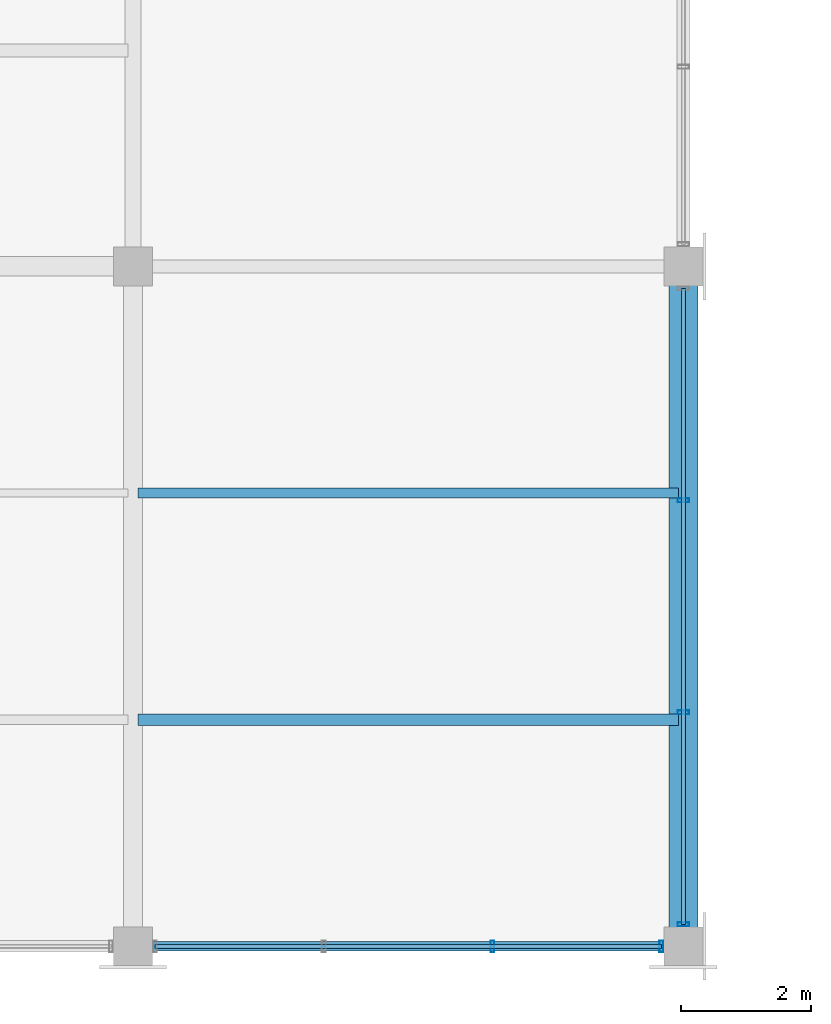
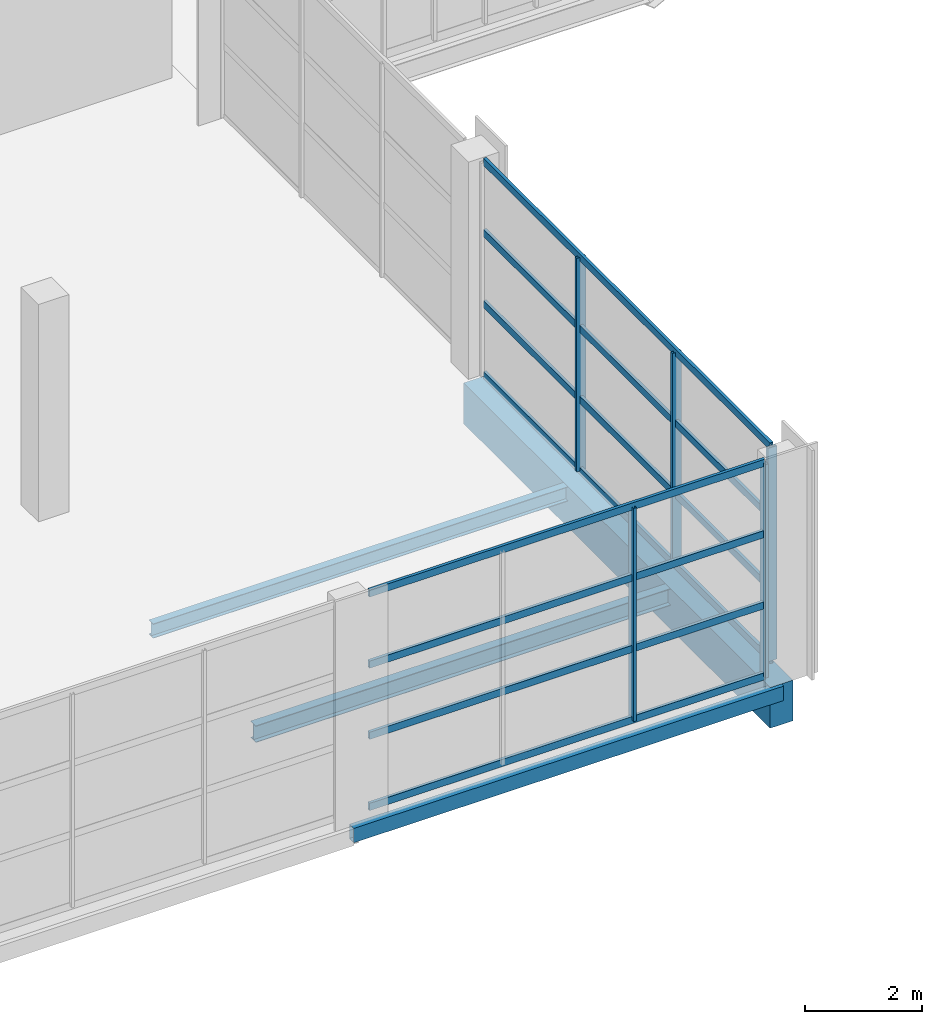
# One storey, part 9 of 46: 13 members, 4 beams, 2 elements without a shape of their own.
"""IFC4 building model written with IfcOpenShell, lengths in metres."""

import ifcopenshell
import ifcopenshell.guid

model = None  # the IFC model being written
_history = None  # IfcOwnerHistory: only IFC2X3 demands one
_inside = {}  # id of a spatial element -> (the spatial element, [elements in it])
_under = {}  # id of a project, library or spatial element -> (it, [spatial elements below it])
_declared = {}  # id of a project -> (the project, [libraries it declares])
_typed = {}  # id of a type object -> (the type object, [elements of that type])
_made_of = {}  # id of a material, layer set ... -> (it, [elements and type objects made of it])


def new_model(schema):
    """Start an empty IFC model of exactly this schema.

    Asked for "IFC4X3", IfcOpenShell would pick the latest addendum, in which some entities
    have other attributes; the version numbers below select the first issue.
    IFC2X3 requires an IfcOwnerHistory on every rooted entity: one is made here for all.
    """
    global model, _history
    if schema == "IFC4X3":
        model = ifcopenshell.file(schema_version=(4, 3, 0, 0))
    else:
        model = ifcopenshell.file(schema=schema)
    _inside.clear()
    _under.clear()
    _declared.clear()
    _typed.clear()
    _made_of.clear()
    _history = None
    if model.schema == "IFC2X3":
        org = make("IfcOrganization", Name="unknown")
        user = make(
            "IfcPersonAndOrganization",
            ThePerson=make("IfcPerson", FamilyName="unknown"),
            TheOrganization=org,
        )
        app = make(
            "IfcApplication",
            ApplicationDeveloper=org,
            Version="unknown",
            ApplicationFullName="unknown",
            ApplicationIdentifier="unknown",
        )
        _history = make(
            "IfcOwnerHistory",
            OwningUser=user,
            OwningApplication=app,
            ChangeAction="ADDED",
            CreationDate=0,
        )
    return model


def make(cls, **values):
    """One entity of the class cls with the attributes given. An attribute that is None is left unset."""
    return model.create_entity(
        cls, **{name: value for name, value in values.items() if value is not None}
    )


def rooted(cls, **values):
    """An entity with a GlobalId (a new one), such as an element, a storey or a relation."""
    return make(cls, GlobalId=ifcopenshell.guid.new(), OwnerHistory=_history, **values)


def si_unit(unit_type, name, prefix=None):
    """IfcSIUnit, for example si_unit("LENGTHUNIT", "METRE", prefix="MILLI")."""
    return make("IfcSIUnit", UnitType=unit_type, Prefix=prefix, Name=name)


def assignment(units):
    """IfcUnitAssignment: the units of a project."""
    return None if units is None else make("IfcUnitAssignment", Units=units)


def point(xyz):
    """IfcCartesianPoint."""
    return None if xyz is None else make("IfcCartesianPoint", Coordinates=xyz)


def direction(xyz):
    """IfcDirection."""
    return None if xyz is None else make("IfcDirection", DirectionRatios=xyz)


def frame(location, z_axis=None, x_axis=None):
    """IfcAxis2Placement3D, a coordinate frame: its origin and axes. An axis left out is left unset."""
    return make(
        "IfcAxis2Placement3D",
        Location=point(location),
        Axis=direction(z_axis),
        RefDirection=direction(x_axis),
    )


def frame_2d(location, x_axis=None):
    """IfcAxis2Placement2D, a coordinate frame in the plane: its origin and x axis."""
    return make(
        "IfcAxis2Placement2D", Location=point(location), RefDirection=direction(x_axis)
    )


def origin():
    """The frame at (0, 0, 0) with its axes left unset."""
    return frame((0.0, 0.0, 0.0))


def origin_2d():
    """The frame at (0, 0) in the plane with its x axis left unset."""
    return frame_2d((0.0, 0.0))


def place(relative_to, where):
    """IfcLocalPlacement: puts the frame where relative to a parent placement (None: the world)."""
    return make(
        "IfcLocalPlacement", PlacementRelTo=relative_to, RelativePlacement=where
    )


def context(
    kind, dimensions, precision=None, world=None, true_north=None, identifier=None
):
    """IfcGeometricRepresentationContext, for example the 3D "Model" context."""
    return make(
        "IfcGeometricRepresentationContext",
        ContextIdentifier=identifier,
        ContextType=kind,
        CoordinateSpaceDimension=dimensions,
        Precision=precision,
        WorldCoordinateSystem=world,
        TrueNorth=true_north,
    )


def subcontext(parent, identifier, kind, view, scale=None):
    """IfcGeometricRepresentationSubContext, for example "Body" below "Model"."""
    return make(
        "IfcGeometricRepresentationSubContext",
        ContextIdentifier=identifier,
        ContextType=kind,
        ParentContext=parent,
        TargetScale=scale,
        TargetView=view,
    )


def project(units=None, contexts=None):
    """IfcProject with its units and contexts."""
    return rooted(
        "IfcProject",
        Name="project",
        RepresentationContexts=contexts,
        UnitsInContext=assignment(units),
    )


def spatial(cls, under=None, at=None, **own):
    """A site, building, storey or space (cls), placed at a placement, below another one or the project."""
    s = rooted(cls, ObjectPlacement=at, **own)
    if under is not None:
        _under.setdefault(under.id(), (under, []))[1].append(s)
    return s


def profile(cls, at=None, kind="AREA", **sizes):
    """A parametric profile (cls). Its sizes go by their IFC names, for example OverallWidth=200.0."""
    return make(cls, ProfileType=kind, Position=at, **sizes)


def rectangle(**sizes):
    """IfcRectangleProfileDef."""
    return profile("IfcRectangleProfileDef", **sizes)


def hollow_rectangle(**sizes):
    """IfcRectangleHollowProfileDef."""
    return profile("IfcRectangleHollowProfileDef", **sizes)


def i_section(**sizes):
    """IfcIShapeProfileDef."""
    return profile("IfcIShapeProfileDef", **sizes)


def extrude(swept, where, along, depth):
    """IfcExtrudedAreaSolid: the profile swept, set in the frame where, extruded along a direction by depth."""
    return make(
        "IfcExtrudedAreaSolid",
        SweptArea=swept,
        Position=where,
        ExtrudedDirection=direction(along),
        Depth=depth,
    )


def shape(context_of_items, identifier, shape_type, items):
    """IfcShapeRepresentation: the items that make up one representation, for example the "Body"."""
    return make(
        "IfcShapeRepresentation",
        ContextOfItems=context_of_items,
        RepresentationIdentifier=identifier,
        RepresentationType=shape_type,
        Items=items,
    )


def material(Name=None, Category=None):
    """IfcMaterial."""
    return make("IfcMaterial", Name=Name, Category=Category)


def material_profile(
    of_material, cross_section, Name=None, Category=None, Priority=None
):
    """IfcMaterialProfile: a cross section and its material."""
    return make(
        "IfcMaterialProfile",
        Name=Name,
        Material=of_material,
        Profile=cross_section,
        Priority=Priority,
        Category=Category,
    )


def profile_set(profiles, Name=None, composite=None):
    """IfcMaterialProfileSet."""
    return make(
        "IfcMaterialProfileSet",
        Name=Name,
        MaterialProfiles=profiles,
        CompositeProfile=composite,
    )


def made_of(thing, what):
    """Note that an element or type object is made of a material, layer set ...; save() writes the relation."""
    if what is not None:
        _made_of.setdefault(what.id(), (what, []))[1].append(thing)
    return thing


def type_object(cls, material=None, **own):
    """A type object (cls), such as IfcWallType, which elements share."""
    return made_of(rooted(cls, **own), material)


def element(
    cls,
    number,
    at=None,
    inside=None,
    cuts=None,
    type_object=None,
    material=None,
    context=None,
    identifier="Body",
    shape_type=None,
    held_by="IfcProductDefinitionShape",
    body=None,
    shapes=None,
    **own,
):
    """One element of the class cls, such as IfcWall. Its Tag is "e" and its number.

    at: its placement. inside: the storey or other place that contains it. cuts: it is an
    opening in that element (IfcRelVoidsElement). A single representation is given by context,
    identifier, shape_type and body (its items); several are given by shapes. held_by: the class
    of the entity that holds the representations. save() writes the other relations.
    """
    e = rooted(cls, Tag="e%d" % number, ObjectPlacement=at, **own)
    if body is not None:
        shapes = [shape(context, identifier, shape_type, body)]
    if shapes is not None:
        e.Representation = make(held_by, Representations=shapes)
    if inside is not None:
        _inside.setdefault(inside.id(), (inside, []))[1].append(e)
    if cuts is not None:
        rooted(
            "IfcRelVoidsElement", RelatingBuildingElement=cuts, RelatedOpeningElement=e
        )
    if type_object is not None:
        _typed.setdefault(type_object.id(), (type_object, []))[1].append(e)
    return made_of(e, material)


def aggregate(whole, parts):
    """IfcRelAggregates: a whole, such as a stair, and the parts it consists of."""
    return rooted("IfcRelAggregates", RelatingObject=whole, RelatedObjects=parts)


def save(model, path):
    """Write the relations noted so far, then the file.

    IfcRelAggregates (storeys below a building ...), IfcRelContainedInSpatialStructure (elements
    in a storey), IfcRelDefinesByType, IfcRelAssociatesMaterial and IfcRelDeclares: one each for
    every whole, place, type object, material and project.
    """
    for whole, parts in _under.values():
        aggregate(whole, parts)
    for where, things in _inside.values():
        rooted(
            "IfcRelContainedInSpatialStructure",
            RelatedElements=things,
            RelatingStructure=where,
        )
    for kind, things in _typed.values():
        rooted("IfcRelDefinesByType", RelatedObjects=things, RelatingType=kind)
    for what, things in _made_of.values():
        rooted("IfcRelAssociatesMaterial", RelatedObjects=things, RelatingMaterial=what)
    for by, libraries in _declared.values():
        rooted("IfcRelDeclares", RelatingContext=by, RelatedDefinitions=libraries)
    model.write(path)


model = new_model("IFC4")

# Units and contexts
model_context = context("Model", 3, precision=1e-05, world=origin(), true_north=direction((0.0, 1.0)))
body_context = subcontext(model_context, "Body", "Model", "MODEL_VIEW")
ifc_project = project(units=[si_unit("LENGTHUNIT", "METRE"), si_unit("AREAUNIT", "SQUARE_METRE"), si_unit("VOLUMEUNIT", "CUBIC_METRE"), si_unit("PLANEANGLEUNIT", "RADIAN"), si_unit("MASSUNIT", "GRAM", prefix="KILO")], contexts=[model_context])

# Site, building, storey
site_placement = place(None, origin())
site = spatial("IfcSite", under=ifc_project, at=site_placement, CompositionType="ELEMENT")
building_placement = place(site_placement, origin())
building = spatial("IfcBuilding", under=site, at=building_placement, Name="Solvikara Media Centre", CompositionType="ELEMENT")
storey_placement = place(building_placement, frame((0.0, 0.0, 24.60009765625)))
storey = spatial("IfcBuildingStorey", under=building, at=storey_placement, Name="L05", CompositionType="ELEMENT", Elevation=24.60009765625)

# Beams
ifc_material_1 = material(Name="Concrete fc' 35 MPa (C35/45)", Category="concrete")
ifc_material_profile_1 = material_profile(ifc_material_1, rectangle(XDim=0.449951171875, YDim=0.85009765625, at=origin_2d()), Name="RC 450x850")
ifc_profile_set_1 = profile_set([ifc_material_profile_1], Name="Concrete fc' 35 MPa (C35/45)")
beam_type_1 = type_object("IfcBeamType", Name="BM-14", PredefinedType="SPANDREL", material=ifc_profile_set_1)
beam_1_placement = place(storey_placement, frame((68.0, 0.0, -0.705078125), z_axis=(0.0, 1.0, 0.0), x_axis=(-1.0, 0.0, 0.0)))
element("IfcBeam", 1, at=beam_1_placement, inside=storey, type_object=beam_type_1, Name="B-L05-Y1664", PredefinedType="SPANDREL", context=body_context, shape_type="SweptSolid", body=[
    extrude(rectangle(XDim=0.449951171875, YDim=0.85009765625, at=origin_2d()), origin(), (0.0, 0.0, 1.0), 10.5),
])
ifc_material_2 = material(Name="Steel S355JR", Category="steel")
ifc_material_profile_2 = material_profile(ifc_material_2, i_section(OverallWidth=0.175048828125, OverallDepth=0.35009765625, WebThickness=0.007080078125, FlangeThickness=0.010986328125, at=origin_2d()), Name="WF 350x175x7x11")
ifc_profile_set_2 = profile_set([ifc_material_profile_2], Name="Steel S355JR")
beam_type_2 = type_object("IfcBeamType", Name="BM-22", PredefinedType="JOIST", material=ifc_profile_set_2)
beam_2_placement = place(storey_placement, frame((59.577880859375, 3.5, -0.45703125), z_axis=(1.0, 0.0, 0.0), x_axis=(0.0, 1.0, 0.0)))
element("IfcBeam", 2, at=beam_2_placement, inside=storey, type_object=beam_type_2, Name="J-L05-1690", PredefinedType="JOIST", context=body_context, shape_type="SweptSolid", body=[
    extrude(i_section(OverallWidth=0.175048828125, OverallDepth=0.35009765625, WebThickness=0.007080078125, FlangeThickness=0.010986328125, at=origin_2d()), origin(), (0.0, 0.0, 1.0), 8.34423828125),
])
ifc_material_profile_3 = material_profile(ifc_material_2, i_section(OverallWidth=0.14990234375, OverallDepth=0.300048828125, WebThickness=0.006591796875, FlangeThickness=0.009033203125, at=origin_2d()), Name="WF 300x150x6.5x9")
ifc_profile_set_3 = profile_set([ifc_material_profile_3], Name="Steel S355JR")
beam_type_3 = type_object("IfcBeamType", Name="BM-23", PredefinedType="JOIST", material=ifc_profile_set_3)
beam_3_placement = place(storey_placement, frame((59.577880859375, 7.0, -0.43212890625), z_axis=(1.0, 0.0, 0.0), x_axis=(0.0, 1.0, 0.0)))
element("IfcBeam", 3, at=beam_3_placement, inside=storey, type_object=beam_type_3, Name="J-L05-1691", PredefinedType="JOIST", context=body_context, shape_type="SweptSolid", body=[
    extrude(i_section(OverallWidth=0.14990234375, OverallDepth=0.300048828125, WebThickness=0.006591796875, FlangeThickness=0.009033203125, at=origin_2d()), origin(), (0.0, 0.0, 1.0), 8.34423828125),
])
ifc_material_profile_4 = material_profile(ifc_material_2, hollow_rectangle(XDim=0.14990234375, YDim=0.300048828125, WallThickness=0.010009765625, at=origin_2d()), Name="RHS 300x150x10")
ifc_profile_set_4 = profile_set([ifc_material_profile_4], Name="Steel S355JR")
beam_type_4 = type_object("IfcBeamType", Name="BM-35", PredefinedType="BEAM", material=ifc_profile_set_4)
beam_4_placement = place(storey_placement, frame((59.5, 0.0, -0.43212890625), z_axis=(1.0, 0.0, 0.0), x_axis=(0.0, 1.0, 0.0)))
element("IfcBeam", 4, at=beam_4_placement, inside=storey, type_object=beam_type_4, Name="B-L05-X1637", PredefinedType="BEAM", context=body_context, shape_type="SweptSolid", body=[
    extrude(hollow_rectangle(XDim=0.14990234375, YDim=0.300048828125, WallThickness=0.010009765625, at=origin_2d()), origin(), (0.0, 0.0, 1.0), 8.5),
])

# Curtain wall, members
ifc_material_3 = material(Name="Anodised aluminium EN AW-6063", Category="aluminium")
curtain_wall_type = type_object("IfcCurtainWallType", Name="CW-09", PredefinedType="NOTDEFINED", material=ifc_material_3)
curtain_wall_1_placement = place(storey_placement, origin())
curtain_wall_1 = element("IfcCurtainWall", 5, at=curtain_wall_1_placement, inside=storey, type_object=curtain_wall_type, Name="CW-L05-V6S-S2", PredefinedType="NOTDEFINED")
ifc_material_profile_5 = material_profile(ifc_material_3, hollow_rectangle(XDim=0.06005859375, YDim=0.179931640625, WallThickness=0.00341796875, at=origin_2d()), Name="ALU-M 60x180x3.5")
ifc_profile_set_5 = profile_set([ifc_material_profile_5], Name="Anodised aluminium EN AW-6063")
member_type_1 = type_object("IfcMemberType", Name="MF-03", PredefinedType="MULLION", material=ifc_profile_set_5)
member_1_placement = place(storey_placement, frame((65.052978515625, 0.0, 0.02001953125), z_axis=(0.0, 0.0, 1.0), x_axis=(1.0, 0.0, 0.0)))
member_1 = element("IfcMember", 6, at=member_1_placement, type_object=member_type_1, Name="CW-L05-V6S-S2-M02", PredefinedType="MULLION", context=body_context, shape_type="SweptSolid", body=[
    extrude(hollow_rectangle(XDim=0.06005859375, YDim=0.179931640625, WallThickness=0.00341796875, at=origin_2d()), origin(), (0.0, 0.0, 1.0), 4.4599609375),
])
member_2_placement = place(storey_placement, frame((67.659912109375, 0.0, 0.02001953125), z_axis=(0.0, 0.0, 1.0), x_axis=(1.0, 0.0, 0.0)))
member_2 = element("IfcMember", 7, at=member_2_placement, type_object=member_type_1, Name="CW-L05-V6S-S2-M03", PredefinedType="MULLION", context=body_context, shape_type="SweptSolid", body=[
    extrude(hollow_rectangle(XDim=0.06005859375, YDim=0.179931640625, WallThickness=0.00341796875, at=origin_2d()), origin(), (0.0, 0.0, 1.0), 4.4599609375),
])

curtain_wall_2_placement = place(storey_placement, origin())
curtain_wall_2 = element("IfcCurtainWall", 8, at=curtain_wall_2_placement, inside=storey, type_object=curtain_wall_type, Name="CW-L05-V6E-S1", PredefinedType="NOTDEFINED")
member_3_placement = place(storey_placement, frame((68.0, 0.340087890625, 0.02001953125), z_axis=(0.0, 0.0, 1.0), x_axis=(0.0, 1.0, 0.0)))
member_3 = element("IfcMember", 9, at=member_3_placement, type_object=member_type_1, Name="CW-L05-V6E-S1-M00", PredefinedType="MULLION", context=body_context, shape_type="SweptSolid", body=[
    extrude(hollow_rectangle(XDim=0.06005859375, YDim=0.179931640625, WallThickness=0.00341796875, at=origin_2d()), origin(), (0.0, 0.0, 1.0), 4.4599609375),
])
member_4_placement = place(storey_placement, frame((68.0, 3.613037109375, 0.02001953125), z_axis=(0.0, 0.0, 1.0), x_axis=(0.0, 1.0, 0.0)))
member_4 = element("IfcMember", 10, at=member_4_placement, type_object=member_type_1, Name="CW-L05-V6E-S1-M01", PredefinedType="MULLION", context=body_context, shape_type="SweptSolid", body=[
    extrude(hollow_rectangle(XDim=0.06005859375, YDim=0.179931640625, WallThickness=0.00341796875, at=origin_2d()), origin(), (0.0, 0.0, 1.0), 4.4599609375),
])
member_5_placement = place(storey_placement, frame((68.0, 6.886962890625, 0.02001953125), z_axis=(0.0, 0.0, 1.0), x_axis=(0.0, 1.0, 0.0)))
member_5 = element("IfcMember", 11, at=member_5_placement, type_object=member_type_1, Name="CW-L05-V6E-S1-M02", PredefinedType="MULLION", context=body_context, shape_type="SweptSolid", body=[
    extrude(hollow_rectangle(XDim=0.06005859375, YDim=0.179931640625, WallThickness=0.00341796875, at=origin_2d()), origin(), (0.0, 0.0, 1.0), 4.4599609375),
])

# Member
ifc_material_profile_6 = material_profile(ifc_material_3, hollow_rectangle(XDim=0.06005859375, YDim=0.14990234375, WallThickness=0.0029296875, at=origin_2d()), Name="ALU-T 60x150x3")
ifc_profile_set_6 = profile_set([ifc_material_profile_6], Name="Anodised aluminium EN AW-6063")
member_type_2 = type_object("IfcMemberType", Name="MF-09", PredefinedType="USERDEFINED", material=ifc_profile_set_6)
member_6_placement = place(storey_placement, frame((59.840087890625, 0.0, 0.02001953125), z_axis=(1.0, 0.0, 0.0), x_axis=(0.0, 1.0, 0.0)))
member_6 = element("IfcMember", 12, at=member_6_placement, type_object=member_type_2, Name="CW-L05-V6S-S2-T00", ObjectType="TRANSOM", PredefinedType="USERDEFINED", context=body_context, shape_type="SweptSolid", body=[
    extrude(hollow_rectangle(XDim=0.06005859375, YDim=0.14990234375, WallThickness=0.0029296875, at=origin_2d()), origin(), (0.0, 0.0, 1.0), 7.81982421875),
])

member_7_placement = place(storey_placement, frame((59.840087890625, 0.0, 1.5068359375), z_axis=(1.0, 0.0, 0.0), x_axis=(0.0, 1.0, 0.0)))
member_7 = element("IfcMember", 13, at=member_7_placement, type_object=member_type_2, Name="CW-L05-V6S-S2-T01", ObjectType="TRANSOM", PredefinedType="USERDEFINED", context=body_context, shape_type="SweptSolid", body=[
    extrude(hollow_rectangle(XDim=0.06005859375, YDim=0.14990234375, WallThickness=0.0029296875, at=origin_2d()), origin(), (0.0, 0.0, 1.0), 7.81982421875),
])

member_8_placement = place(storey_placement, frame((59.840087890625, 0.0, 2.992919921875), z_axis=(1.0, 0.0, 0.0), x_axis=(0.0, 1.0, 0.0)))
member_8 = element("IfcMember", 14, at=member_8_placement, type_object=member_type_2, Name="CW-L05-V6S-S2-T02", ObjectType="TRANSOM", PredefinedType="USERDEFINED", context=body_context, shape_type="SweptSolid", body=[
    extrude(hollow_rectangle(XDim=0.06005859375, YDim=0.14990234375, WallThickness=0.0029296875, at=origin_2d()), origin(), (0.0, 0.0, 1.0), 7.81982421875),
])

member_9_placement = place(storey_placement, frame((59.840087890625, 0.0, 4.47998046875), z_axis=(1.0, 0.0, 0.0), x_axis=(0.0, 1.0, 0.0)))
member_9 = element("IfcMember", 15, at=member_9_placement, type_object=member_type_2, Name="CW-L05-V6S-S2-T03", ObjectType="TRANSOM", PredefinedType="USERDEFINED", context=body_context, shape_type="SweptSolid", body=[
    extrude(hollow_rectangle(XDim=0.06005859375, YDim=0.14990234375, WallThickness=0.0029296875, at=origin_2d()), origin(), (0.0, 0.0, 1.0), 7.81982421875),
])

aggregate(curtain_wall_1, [member_1, member_2, member_6, member_7, member_8, member_9])

member_10_placement = place(storey_placement, frame((68.0, 0.340087890625, 0.02001953125), z_axis=(0.0, 1.0, 0.0), x_axis=(-1.0, 0.0, 0.0)))
member_10 = element("IfcMember", 16, at=member_10_placement, type_object=member_type_2, Name="CW-L05-V6E-S1-T00", ObjectType="TRANSOM", PredefinedType="USERDEFINED", context=body_context, shape_type="SweptSolid", body=[
    extrude(hollow_rectangle(XDim=0.06005859375, YDim=0.14990234375, WallThickness=0.0029296875, at=origin_2d()), origin(), (0.0, 0.0, 1.0), 9.81982421875),
])

member_11_placement = place(storey_placement, frame((68.0, 0.340087890625, 1.5068359375), z_axis=(0.0, 1.0, 0.0), x_axis=(-1.0, 0.0, 0.0)))
member_11 = element("IfcMember", 17, at=member_11_placement, type_object=member_type_2, Name="CW-L05-V6E-S1-T01", ObjectType="TRANSOM", PredefinedType="USERDEFINED", context=body_context, shape_type="SweptSolid", body=[
    extrude(hollow_rectangle(XDim=0.06005859375, YDim=0.14990234375, WallThickness=0.0029296875, at=origin_2d()), origin(), (0.0, 0.0, 1.0), 9.81982421875),
])

member_12_placement = place(storey_placement, frame((68.0, 0.340087890625, 2.992919921875), z_axis=(0.0, 1.0, 0.0), x_axis=(-1.0, 0.0, 0.0)))
member_12 = element("IfcMember", 18, at=member_12_placement, type_object=member_type_2, Name="CW-L05-V6E-S1-T02", ObjectType="TRANSOM", PredefinedType="USERDEFINED", context=body_context, shape_type="SweptSolid", body=[
    extrude(hollow_rectangle(XDim=0.06005859375, YDim=0.14990234375, WallThickness=0.0029296875, at=origin_2d()), origin(), (0.0, 0.0, 1.0), 9.81982421875),
])

member_13_placement = place(storey_placement, frame((68.0, 0.340087890625, 4.47998046875), z_axis=(0.0, 1.0, 0.0), x_axis=(-1.0, 0.0, 0.0)))
member_13 = element("IfcMember", 19, at=member_13_placement, type_object=member_type_2, Name="CW-L05-V6E-S1-T03", ObjectType="TRANSOM", PredefinedType="USERDEFINED", context=body_context, shape_type="SweptSolid", body=[
    extrude(hollow_rectangle(XDim=0.06005859375, YDim=0.14990234375, WallThickness=0.0029296875, at=origin_2d()), origin(), (0.0, 0.0, 1.0), 9.81982421875),
])

aggregate(curtain_wall_2, [member_3, member_4, member_5, member_10, member_11, member_12, member_13])

save(model, "model.ifc")
